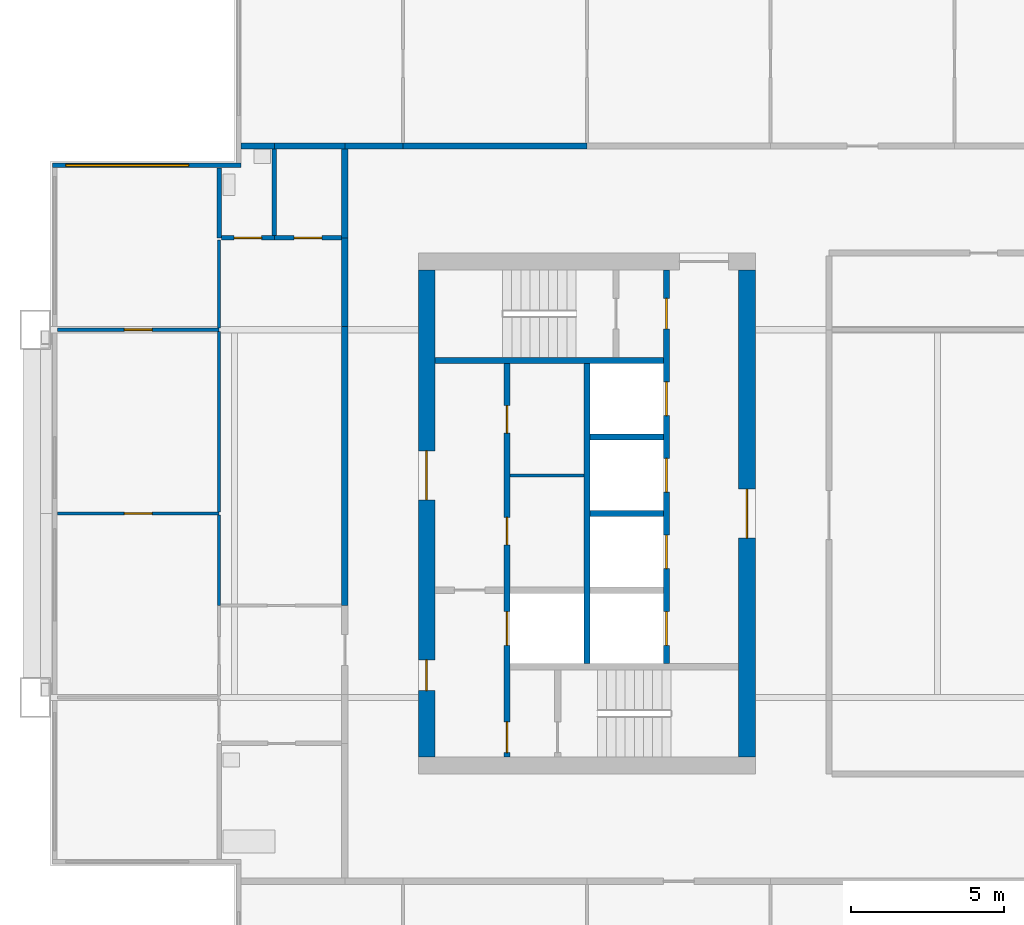
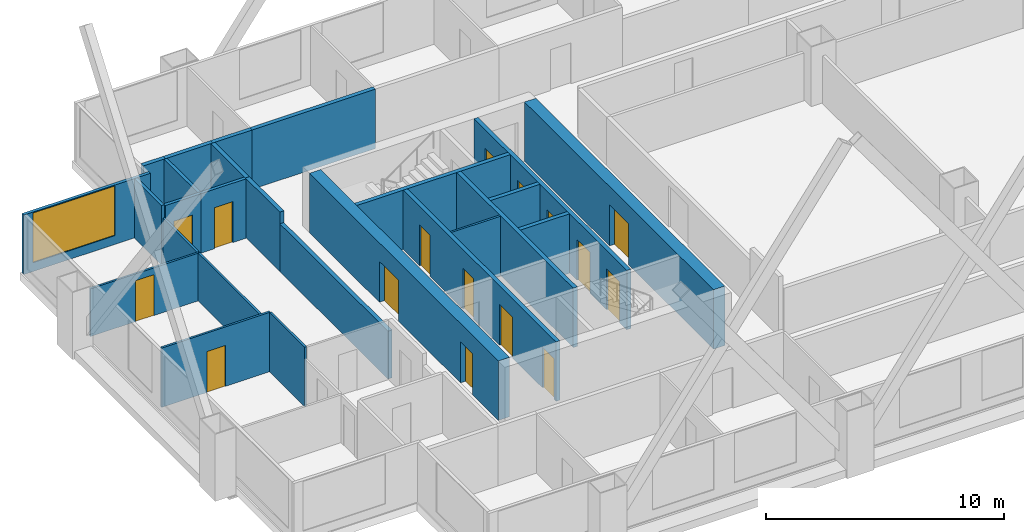
# One storey, part 3 of 8: 26 walls, 16 doors, 1 window, 17 openings.
"""IFC4 building model written with IfcOpenShell, lengths in metres."""

from ifc_helpers import new_model, si_unit, direction, frame, frame_2d, origin, place, context, subcontext, project, spatial, rectangle, extrude, material, layer, layer_set, type_object, element, fill, save


model = new_model("IFC4")

# Units and contexts
model_context = context("Model", 3, precision=1e-05, world=origin(), true_north=direction((0.0, 1.0)))
body_context = subcontext(model_context, "Body", "Model", "MODEL_VIEW")
ifc_project = project(units=[si_unit("LENGTHUNIT", "METRE"), si_unit("AREAUNIT", "SQUARE_METRE"), si_unit("VOLUMEUNIT", "CUBIC_METRE"), si_unit("PLANEANGLEUNIT", "RADIAN"), si_unit("MASSUNIT", "GRAM", prefix="KILO")], contexts=[model_context])

# Site, building, storey
site_placement = place(None, origin())
site = spatial("IfcSite", under=ifc_project, at=site_placement, CompositionType="ELEMENT")
building_placement = place(site_placement, origin())
building = spatial("IfcBuilding", under=site, at=building_placement, Name="Kitamizu Gate Tower and Museum", CompositionType="ELEMENT")
storey_placement = place(building_placement, frame((0.0, 0.0, 175.5)))
storey = spatial("IfcBuildingStorey", under=building, at=storey_placement, Name="L46", CompositionType="ELEMENT", Elevation=175.5)

# Wall, openings, doors
ifc_material_1 = material(Name="Concrete Fc42", Category="concrete")
ifc_layer_1 = layer(ifc_material_1, 0.550048828125)
ifc_layer_set_1 = layer_set([ifc_layer_1], Name="Concrete Fc42")
wall_type_1 = type_object("IfcWallType", Name="Core wall 550", PredefinedType="SHEAR", material=ifc_layer_set_1)
wall_1_placement = place(storey_placement, frame((12.77490234375, 22.050048828125, 0.0), z_axis=(0.0, 0.0, 1.0), x_axis=(0.0, 1.0, 0.0)))
wall_1 = element("IfcWall", 1, at=wall_1_placement, inside=storey, type_object=wall_type_1, Name="Core wall WOUT", PredefinedType="SHEAR", context=body_context, shape_type="SweptSolid", body=[
    extrude(rectangle(XDim=15.89990234375, YDim=0.550048828125, at=frame_2d((7.949951171875, 0.0))), origin(), (0.0, 0.0, 1.0), 3.050048828125),
])
opening_1_placement = place(wall_1_placement, frame((8.39990234375, 0.0, 0.0)))
opening_1 = element("IfcOpeningElement", 2, at=opening_1_placement, cuts=wall_1, Name="Opening L46-035", PredefinedType="OPENING", context=body_context, shape_type="SweptSolid", body=[
    extrude(rectangle(XDim=1.60009765625, YDim=2.10009765625, at=frame_2d((0.800048828125, 1.050048828125))), frame((0.0, 0.28515625, 0.0), z_axis=(0.0, -1.0, 0.0), x_axis=(1.0, 0.0, 0.0)), (0.0, 0.0, 1.0), 0.570068359375),
])
opening_2_placement = place(wall_1_placement, frame((2.175048828125, 0.0, 0.0)))
opening_2 = element("IfcOpeningElement", 3, at=opening_2_placement, cuts=wall_1, Name="Opening L46-036", PredefinedType="OPENING", context=body_context, shape_type="SweptSolid", body=[
    extrude(rectangle(XDim=1.0, YDim=2.10009765625, at=frame_2d((0.5, 1.050048828125))), frame((0.0, 0.28515625, 0.0), z_axis=(0.0, -1.0, 0.0), x_axis=(1.0, 0.0, 0.0)), (0.0, 0.0, 1.0), 0.570068359375),
])
ifc_material_2 = material(Name="Timber door set", Category="wood")
door_type_1 = type_object("IfcDoorType", Name="Entrance door 1600", OperationType="DOUBLE_DOOR_SINGLE_SWING", PredefinedType="DOOR", material=ifc_material_2)
door_1_placement = place(opening_1_placement, origin())
door_1 = element("IfcDoor", 4, at=door_1_placement, inside=storey, type_object=door_type_1, Name="Lobby door L46-035", OperationType="DOUBLE_DOOR_SINGLE_SWING", OverallHeight=2.10009765625, OverallWidth=1.60009765625, PredefinedType="DOOR", context=body_context, shape_type="SweptSolid", body=[
    extrude(rectangle(XDim=1.60009765625, YDim=2.10009765625, at=frame_2d((0.800048828125, 1.050048828125))), frame((0.0, 0.02490234375, 0.0), z_axis=(0.0, -1.0, 0.0), x_axis=(1.0, 0.0, 0.0)), (0.0, 0.0, 1.0), 0.050048828125),
])
fill(opening_1, door_1)
ifc_material_3 = material(Name="Hollow metal door set")
door_type_2 = type_object("IfcDoorType", Name="Fire door 1000", OperationType="NOTDEFINED", PredefinedType="DOOR", material=ifc_material_3)
door_2_placement = place(opening_2_placement, frame((1.0, 0.0, 0.0), x_axis=(-1.0, 0.0, 0.0)))
door_2 = element("IfcDoor", 5, at=door_2_placement, inside=storey, type_object=door_type_2, Name="Fire-fighting lobby door L46-036", OperationType="SINGLE_SWING_RIGHT", OverallHeight=2.10009765625, OverallWidth=1.0, PredefinedType="DOOR", context=body_context, shape_type="SweptSolid", body=[
    extrude(rectangle(XDim=1.0, YDim=2.10009765625, at=frame_2d((0.5, 1.050048828125))), frame((0.0, 0.02490234375, 0.0), z_axis=(0.0, -1.0, 0.0), x_axis=(1.0, 0.0, 0.0)), (0.0, 0.0, 1.0), 0.050048828125),
])
fill(opening_2, door_2)

# Wall, opening, door
wall_2_placement = place(storey_placement, frame((23.22509765625, 22.050048828125, 0.0), z_axis=(0.0, 0.0, 1.0), x_axis=(0.0, 1.0, 0.0)))
wall_2 = element("IfcWall", 6, at=wall_2_placement, inside=storey, type_object=wall_type_1, Name="Core wall WARC", PredefinedType="SHEAR", context=body_context, shape_type="SweptSolid", body=[
    extrude(rectangle(XDim=15.89990234375, YDim=0.550048828125, at=frame_2d((7.949951171875, 0.0))), origin(), (0.0, 0.0, 1.0), 3.050048828125),
])
opening_3_placement = place(wall_2_placement, frame((7.14990234375, 0.0, 0.0)))
opening_3 = element("IfcOpeningElement", 7, at=opening_3_placement, cuts=wall_2, Name="Opening L46-038", PredefinedType="OPENING", context=body_context, shape_type="SweptSolid", body=[
    extrude(rectangle(XDim=1.60009765625, YDim=2.10009765625, at=frame_2d((0.800048828125, 1.050048828125))), frame((0.0, 0.28515625, 0.0), z_axis=(0.0, -1.0, 0.0), x_axis=(1.0, 0.0, 0.0)), (0.0, 0.0, 1.0), 0.570068359375),
])
door_3_placement = place(opening_3_placement, origin())
door_3 = element("IfcDoor", 8, at=door_3_placement, inside=storey, type_object=door_type_1, Name="Lobby door L46-038", OperationType="DOUBLE_DOOR_SINGLE_SWING", OverallHeight=2.10009765625, OverallWidth=1.60009765625, PredefinedType="DOOR", context=body_context, shape_type="SweptSolid", body=[
    extrude(rectangle(XDim=1.60009765625, YDim=2.10009765625, at=frame_2d((0.800048828125, 1.050048828125))), frame((0.0, 0.02490234375, 0.0), z_axis=(0.0, -1.0, 0.0), x_axis=(1.0, 0.0, 0.0)), (0.0, 0.0, 1.0), 0.050048828125),
])
fill(opening_3, door_3)

# Wall
ifc_material_4 = material(Name="Gypsum board on galvanised stud")
ifc_layer_2 = layer(ifc_material_4, 0.10009765625)
ifc_layer_set_2 = layer_set([ifc_layer_2], Name="Gypsum board on galvanised stud")
wall_type_2 = type_object("IfcWallType", Name="Partition 100", PredefinedType="PARTITIONING", material=ifc_layer_set_2)
wall_3_placement = place(storey_placement, frame((15.5, 31.25, 0.0), z_axis=(0.0, 0.0, 1.0), x_axis=(1.0, 0.0, 0.0)))
element("IfcWall", 9, at=wall_3_placement, inside=storey, type_object=wall_type_2, Name="Partition WPF1", PredefinedType="PARTITIONING", context=body_context, shape_type="SweptSolid", body=[
    extrude(rectangle(XDim=2.39990234375, YDim=0.10009765625, at=frame_2d((1.199951171875, 0.0))), origin(), (0.0, 0.0, 1.0), 3.050048828125),
])

# Wall, opening, door
ifc_material_5 = material(Name="Gypsum board on galvanised stud")
ifc_layer_3 = layer(ifc_material_5, 0.10009765625)
ifc_layer_set_3 = layer_set([ifc_layer_3], Name="Gypsum board on galvanised stud")
wall_type_3 = type_object("IfcWallType", Name="Partition 100 NOT RATED", PredefinedType="PARTITIONING", material=ifc_layer_set_3)
wall_4_placement = place(storey_placement, frame((6.0, 30.0, 0.0), z_axis=(0.0, 0.0, 1.0), x_axis=(-1.0, 0.0, 0.0)))
wall_4 = element("IfcWall", 10, at=wall_4_placement, inside=storey, type_object=wall_type_3, Name="Partition L46-040", PredefinedType="PARTITIONING", context=body_context, shape_type="SweptSolid", body=[
    extrude(rectangle(XDim=5.280029296875, YDim=0.10009765625, at=frame_2d((2.64013671875, 0.0))), origin(), (0.0, 0.0, 1.0), 3.050048828125),
])
opening_4_placement = place(wall_4_placement, frame((2.18994140625, 0.0, 0.0)))
opening_4 = element("IfcOpeningElement", 11, at=opening_4_placement, cuts=wall_4, Name="Opening L46-019", PredefinedType="OPENING", context=body_context, shape_type="SweptSolid", body=[
    extrude(rectangle(XDim=0.89990234375, YDim=2.10009765625, at=frame_2d((0.449951171875, 1.050048828125))), frame((0.0, 0.06005859375, 0.0), z_axis=(0.0, -1.0, 0.0), x_axis=(1.0, 0.0, 0.0)), (0.0, 0.0, 1.0), 0.1201171875),
])
ifc_material_6 = material(Name="Timber door set", Category="wood")
door_type_3 = type_object("IfcDoorType", Name="Room door 900", OperationType="NOTDEFINED", PredefinedType="DOOR", material=ifc_material_6)
door_4_placement = place(opening_4_placement, origin())
door_4 = element("IfcDoor", 12, at=door_4_placement, inside=storey, type_object=door_type_3, Name="Door L46-019", OperationType="SINGLE_SWING_LEFT", OverallHeight=2.10009765625, OverallWidth=0.89990234375, PredefinedType="DOOR", context=body_context, shape_type="SweptSolid", body=[
    extrude(rectangle(XDim=0.89990234375, YDim=2.10009765625, at=frame_2d((0.449951171875, 1.050048828125))), frame((0.0, 0.02490234375, 0.0), z_axis=(0.0, -1.0, 0.0), x_axis=(1.0, 0.0, 0.0)), (0.0, 0.0, 1.0), 0.050048828125),
])
fill(opening_4, door_4)

# Wall
wall_5_placement = place(storey_placement, frame((6.0, 27.0, 0.0), z_axis=(0.0, 0.0, 1.0), x_axis=(0.0, 1.0, 0.0)))
element("IfcWall", 13, at=wall_5_placement, inside=storey, type_object=wall_type_3, Name="Partition L46-042", PredefinedType="PARTITIONING", context=body_context, shape_type="SweptSolid", body=[
    extrude(rectangle(XDim=2.949951171875, YDim=0.10009765625, at=frame_2d((1.47509765625, 0.0))), origin(), (0.0, 0.0, 1.0), 3.050048828125),
])

# Wall, opening, door
wall_6_placement = place(storey_placement, frame((6.0, 36.0, 0.0), z_axis=(0.0, 0.0, 1.0), x_axis=(-1.0, 0.0, 0.0)))
wall_6 = element("IfcWall", 14, at=wall_6_placement, inside=storey, type_object=wall_type_3, Name="Partition L46-043", PredefinedType="PARTITIONING", context=body_context, shape_type="SweptSolid", body=[
    extrude(rectangle(XDim=5.280029296875, YDim=0.10009765625, at=frame_2d((2.64013671875, 0.0))), origin(), (0.0, 0.0, 1.0), 2.449951171875),
])
opening_5_placement = place(wall_6_placement, frame((2.18994140625, 0.0, 0.0)))
opening_5 = element("IfcOpeningElement", 15, at=opening_5_placement, cuts=wall_6, Name="Opening L46-020", PredefinedType="OPENING", context=body_context, shape_type="SweptSolid", body=[
    extrude(rectangle(XDim=0.89990234375, YDim=2.10009765625, at=frame_2d((0.449951171875, 1.050048828125))), frame((0.0, 0.06005859375, 0.0), z_axis=(0.0, -1.0, 0.0), x_axis=(1.0, 0.0, 0.0)), (0.0, 0.0, 1.0), 0.1201171875),
])
door_5_placement = place(opening_5_placement, frame((0.89990234375, 0.0, 0.0), x_axis=(-1.0, 0.0, 0.0)))
door_5 = element("IfcDoor", 16, at=door_5_placement, inside=storey, type_object=door_type_3, Name="Door L46-020", OperationType="SINGLE_SWING_LEFT", OverallHeight=2.10009765625, OverallWidth=0.89990234375, PredefinedType="DOOR", context=body_context, shape_type="SweptSolid", body=[
    extrude(rectangle(XDim=0.89990234375, YDim=2.10009765625, at=frame_2d((0.449951171875, 1.050048828125))), frame((0.0, 0.02490234375, 0.0), z_axis=(0.0, -1.0, 0.0), x_axis=(1.0, 0.0, 0.0)), (0.0, 0.0, 1.0), 0.050048828125),
])
fill(opening_5, door_5)

# Walls
wall_7_placement = place(storey_placement, frame((6.0, 30.050048828125, 0.0), z_axis=(0.0, 0.0, 1.0), x_axis=(0.0, 1.0, 0.0)))
element("IfcWall", 17, at=wall_7_placement, inside=storey, type_object=wall_type_3, Name="Partition L46-044", PredefinedType="PARTITIONING", context=body_context, shape_type="SweptSolid", body=[
    extrude(rectangle(XDim=5.89990234375, YDim=0.10009765625, at=frame_2d((2.949951171875, 0.0))), origin(), (0.0, 0.0, 1.0), 2.449951171875),
])
wall_8_placement = place(storey_placement, frame((6.0, 36.050048828125, 0.0), z_axis=(0.0, 0.0, 1.0), x_axis=(0.0, 1.0, 0.0)))
element("IfcWall", 18, at=wall_8_placement, inside=storey, type_object=wall_type_3, Name="Partition L46-045", PredefinedType="PARTITIONING", context=body_context, shape_type="SweptSolid", body=[
    extrude(rectangle(XDim=2.875, YDim=0.10009765625, at=frame_2d((1.4375, 0.0))), origin(), (0.0, 0.0, 1.0), 2.449951171875),
])
ifc_material_7 = material(Name="Gypsum board on galvanised stud")
ifc_layer_4 = layer(ifc_material_7, 0.14990234375)
ifc_layer_set_4 = layer_set([ifc_layer_4], Name="Gypsum board on galvanised stud")
wall_type_4 = type_object("IfcWallType", Name="Partition 150", PredefinedType="PARTITIONING", material=ifc_layer_set_4)
wall_9_placement = place(storey_placement, frame((6.0, 39.0, 0.0), z_axis=(0.0, 0.0, 1.0), x_axis=(0.0, 1.0, 0.0)))
element("IfcWall", 19, at=wall_9_placement, inside=storey, type_object=wall_type_4, Name="Partition L46-046", PredefinedType="PARTITIONING", context=body_context, shape_type="SweptSolid", body=[
    extrude(rectangle(XDim=2.280029296875, YDim=0.14990234375, at=frame_2d((1.14013671875, 0.0))), origin(), (0.0, 0.0, 1.0), 3.050048828125),
])

# Wall, opening, door
wall_10_placement = place(storey_placement, frame((7.800048828125, 39.0, 0.0), z_axis=(0.0, 0.0, 1.0), x_axis=(-1.0, 0.0, 0.0)))
wall_10 = element("IfcWall", 20, at=wall_10_placement, inside=storey, type_object=wall_type_4, Name="Partition L46-052", PredefinedType="PARTITIONING", context=body_context, shape_type="SweptSolid", body=[
    extrude(rectangle(XDim=1.72509765625, YDim=0.14990234375, at=frame_2d((0.862548828125, 0.0))), origin(), (0.0, 0.0, 1.0), 3.050048828125),
])
opening_6_placement = place(wall_10_placement, frame((0.41259765625, 0.0, 0.0)))
opening_6 = element("IfcOpeningElement", 21, at=opening_6_placement, cuts=wall_10, Name="Opening L46-022", PredefinedType="OPENING", context=body_context, shape_type="SweptSolid", body=[
    extrude(rectangle(XDim=0.89990234375, YDim=2.10009765625, at=frame_2d((0.449951171875, 1.050048828125))), frame((0.0, 0.0849609375, 0.0), z_axis=(0.0, -1.0, 0.0), x_axis=(1.0, 0.0, 0.0)), (0.0, 0.0, 1.0), 0.169921875),
])
ifc_material_8 = material(Name="Timber door set", Category="wood")
door_type_4 = type_object("IfcDoorType", Name="Bathroom door 900", OperationType="NOTDEFINED", PredefinedType="DOOR", material=ifc_material_8)
door_6_placement = place(opening_6_placement, frame((0.89990234375, 0.0, 0.0), x_axis=(-1.0, 0.0, 0.0)))
door_6 = element("IfcDoor", 22, at=door_6_placement, inside=storey, type_object=door_type_4, Name="Bathroom door L46-022", OperationType="SINGLE_SWING_LEFT", OverallHeight=2.10009765625, OverallWidth=0.89990234375, PredefinedType="DOOR", context=body_context, shape_type="SweptSolid", body=[
    extrude(rectangle(XDim=0.89990234375, YDim=2.10009765625, at=frame_2d((0.449951171875, 1.050048828125))), frame((0.0, 0.02490234375, 0.0), z_axis=(0.0, -1.0, 0.0), x_axis=(1.0, 0.0, 0.0)), (0.0, 0.0, 1.0), 0.050048828125),
])
fill(opening_6, door_6)

wall_11_placement = place(storey_placement, frame((10.0, 39.0, 0.0), z_axis=(0.0, 0.0, 1.0), x_axis=(-1.0, 0.0, 0.0)))
wall_11 = element("IfcWall", 23, at=wall_11_placement, inside=storey, type_object=wall_type_4, Name="Partition L46-053", PredefinedType="PARTITIONING", context=body_context, shape_type="SweptSolid", body=[
    extrude(rectangle(XDim=2.199951171875, YDim=0.14990234375, at=frame_2d((1.10009765625, 0.0))), origin(), (0.0, 0.0, 1.0), 3.050048828125),
])
opening_7_placement = place(wall_11_placement, frame((0.64990234375, 0.0, 0.0)))
opening_7 = element("IfcOpeningElement", 24, at=opening_7_placement, cuts=wall_11, Name="Opening L46-023", PredefinedType="OPENING", context=body_context, shape_type="SweptSolid", body=[
    extrude(rectangle(XDim=0.89990234375, YDim=2.10009765625, at=frame_2d((0.449951171875, 1.050048828125))), frame((0.0, 0.0849609375, 0.0), z_axis=(0.0, -1.0, 0.0), x_axis=(1.0, 0.0, 0.0)), (0.0, 0.0, 1.0), 0.169921875),
])
door_7_placement = place(opening_7_placement, frame((0.89990234375, 0.0, 0.0), x_axis=(-1.0, 0.0, 0.0)))
door_7 = element("IfcDoor", 25, at=door_7_placement, inside=storey, type_object=door_type_4, Name="Bathroom door L46-023", OperationType="SINGLE_SWING_RIGHT", OverallHeight=2.10009765625, OverallWidth=0.89990234375, PredefinedType="DOOR", context=body_context, shape_type="SweptSolid", body=[
    extrude(rectangle(XDim=0.89990234375, YDim=2.10009765625, at=frame_2d((0.449951171875, 1.050048828125))), frame((0.0, 0.02490234375, 0.0), z_axis=(0.0, -1.0, 0.0), x_axis=(1.0, 0.0, 0.0)), (0.0, 0.0, 1.0), 0.050048828125),
])
fill(opening_7, door_7)

# Walls
wall_12_placement = place(storey_placement, frame((7.800048828125, 39.074951171875, 0.0), z_axis=(0.0, 0.0, 1.0), x_axis=(0.0, 1.0, 0.0)))
element("IfcWall", 26, at=wall_12_placement, inside=storey, type_object=wall_type_4, Name="Partition L46-056", PredefinedType="PARTITIONING", context=body_context, shape_type="SweptSolid", body=[
    extrude(rectangle(XDim=2.824951171875, YDim=0.14990234375, at=frame_2d((1.41259765625, 0.0))), origin(), (0.0, 0.0, 1.0), 3.050048828125),
])
ifc_material_9 = material(Name="Gypsum board on galvanised stud")
ifc_layer_5 = layer(ifc_material_9, 0.199951171875)
ifc_layer_set_5 = layer_set([ifc_layer_5], Name="Gypsum board on galvanised stud")
wall_type_5 = type_object("IfcWallType", Name="Partition 200", PredefinedType="PARTITIONING", material=ifc_layer_set_5)
wall_13_placement = place(storey_placement, frame((6.719970703125, 42.0, 0.0), z_axis=(0.0, 0.0, 1.0), x_axis=(1.0, 0.0, 0.0)))
element("IfcWall", 27, at=wall_13_placement, inside=storey, type_object=wall_type_5, Name="Partition L46-019", PredefinedType="PARTITIONING", context=body_context, shape_type="SweptSolid", body=[
    extrude(rectangle(XDim=1.080078125, YDim=0.199951171875, at=frame_2d((0.5400390625, 0.0))), origin(), (0.0, 0.0, 1.0), 3.050048828125),
])
wall_14_placement = place(storey_placement, frame((7.800048828125, 42.0, 0.0), z_axis=(0.0, 0.0, 1.0), x_axis=(1.0, 0.0, 0.0)))
element("IfcWall", 28, at=wall_14_placement, inside=storey, type_object=wall_type_5, Name="Partition L46-020", PredefinedType="PARTITIONING", context=body_context, shape_type="SweptSolid", body=[
    extrude(rectangle(XDim=2.300048828125, YDim=0.199951171875, at=frame_2d((1.14990234375, 0.0))), origin(), (0.0, 0.0, 1.0), 3.050048828125),
])
wall_15_placement = place(storey_placement, frame((10.10009765625, 42.0, 0.0), z_axis=(0.0, 0.0, 1.0), x_axis=(1.0, 0.0, 0.0)))
element("IfcWall", 29, at=wall_15_placement, inside=storey, type_object=wall_type_5, Name="Partition L46-021", PredefinedType="PARTITIONING", context=body_context, shape_type="SweptSolid", body=[
    extrude(rectangle(XDim=1.89990234375, YDim=0.199951171875, at=frame_2d((0.949951171875, 0.0))), origin(), (0.0, 0.0, 1.0), 3.050048828125),
])
wall_16_placement = place(storey_placement, frame((12.0, 42.0, 0.0), z_axis=(0.0, 0.0, 1.0), x_axis=(1.0, 0.0, 0.0)))
element("IfcWall", 30, at=wall_16_placement, inside=storey, type_object=wall_type_5, Name="Partition L46-023", PredefinedType="PARTITIONING", context=body_context, shape_type="SweptSolid", body=[
    extrude(rectangle(XDim=6.0, YDim=0.199951171875, at=frame_2d((3.0, 0.0))), origin(), (0.0, 0.0, 1.0), 3.050048828125),
])
wall_17_placement = place(storey_placement, frame((10.10009765625, 27.0, 0.0), z_axis=(0.0, 0.0, 1.0), x_axis=(0.0, 1.0, 0.0)))
element("IfcWall", 31, at=wall_17_placement, inside=storey, type_object=wall_type_5, Name="Partition L46-054", PredefinedType="PARTITIONING", context=body_context, shape_type="SweptSolid", body=[
    extrude(rectangle(XDim=9.10009765625, YDim=0.199951171875, at=frame_2d((4.550048828125, 0.0))), origin(), (0.0, 0.0, 1.0), 2.449951171875),
])
for number, where, z_axis, x_axis, name in (
    (32, (10.10009765625, 36.10009765625, 0.0), (0.0, 0.0, 1.0), (0.0, 1.0, 0.0), "Partition L46-055"),
    (33, (10.10009765625, 39.0, 0.0), (0.0, 0.0, 1.0), (0.0, 1.0, 0.0), "Partition L46-057"),
):
    element("IfcWall", number, at=place(storey_placement, frame(where, z_axis=z_axis, x_axis=x_axis)), inside=storey, type_object=wall_type_5, Name=name, PredefinedType="PARTITIONING", context=body_context, shape_type="SweptSolid", body=[
        extrude(rectangle(XDim=2.89990234375, YDim=0.199951171875, at=frame_2d((1.449951171875, 0.0))), origin(), (0.0, 0.0, 1.0), 3.050048828125),
    ])

# Wall, openings, doors
ifc_material_10 = material(Name="Concrete Fc42", Category="concrete")
ifc_layer_6 = layer(ifc_material_10, 0.199951171875)
ifc_layer_set_6 = layer_set([ifc_layer_6], Name="Concrete Fc42")
wall_type_6 = type_object("IfcWallType", Name="Shaft wall 200", PredefinedType="SOLIDWALL", material=ifc_layer_set_6)
wall_18_placement = place(storey_placement, frame((15.39990234375, 22.050048828125, 0.0), z_axis=(0.0, 0.0, 1.0), x_axis=(0.0, 1.0, 0.0)))
wall_18 = element("IfcWall", 34, at=wall_18_placement, inside=storey, type_object=wall_type_6, Name="Shaft wall WWEST", PredefinedType="SOLIDWALL", context=body_context, shape_type="SweptSolid", body=[
    extrude(rectangle(XDim=12.849853515625, YDim=0.199951171875, at=frame_2d((6.4248046875, 0.0))), origin(), (0.0, 0.0, 1.0), 3.050048828125),
])
opening_8_placement = place(wall_18_placement, frame((3.64990234375, 0.0, 0.0)))
opening_8 = element("IfcOpeningElement", 35, at=opening_8_placement, cuts=wall_18, Name="Opening LD", PredefinedType="OPENING", context=body_context, shape_type="SweptSolid", body=[
    extrude(rectangle(XDim=1.10009765625, YDim=2.10009765625, at=frame_2d((0.550048828125, 1.050048828125))), frame((0.0, 0.10986328125, 0.0), z_axis=(0.0, -1.0, 0.0), x_axis=(1.0, 0.0, 0.0)), (0.0, 0.0, 1.0), 0.219970703125),
])
opening_9_placement = place(wall_18_placement, frame((0.14990234375, 0.0, 0.0)))
opening_9 = element("IfcOpeningElement", 36, at=opening_9_placement, cuts=wall_18, Name="Opening L46-031", PredefinedType="OPENING", context=body_context, shape_type="SweptSolid", body=[
    extrude(rectangle(XDim=1.0, YDim=2.10009765625, at=frame_2d((0.5, 1.050048828125))), frame((0.0, 0.10986328125, 0.0), z_axis=(0.0, -1.0, 0.0), x_axis=(1.0, 0.0, 0.0)), (0.0, 0.0, 1.0), 0.219970703125),
])
opening_10_placement = place(wall_18_placement, frame((6.925048828125, 0.0, 0.0)))
opening_10 = element("IfcOpeningElement", 37, at=opening_10_placement, cuts=wall_18, Name="Opening L46-039", PredefinedType="OPENING", context=body_context, shape_type="SweptSolid", body=[
    extrude(rectangle(XDim=0.89990234375, YDim=2.10009765625, at=frame_2d((0.449951171875, 1.050048828125))), frame((0.0, 0.10986328125, 0.0), z_axis=(0.0, -1.0, 0.0), x_axis=(1.0, 0.0, 0.0)), (0.0, 0.0, 1.0), 0.219970703125),
])
opening_11_placement = place(wall_18_placement, frame((10.574951171875, 0.0, 0.0)))
opening_11 = element("IfcOpeningElement", 38, at=opening_11_placement, cuts=wall_18, Name="Opening L46-040", PredefinedType="OPENING", context=body_context, shape_type="SweptSolid", body=[
    extrude(rectangle(XDim=0.89990234375, YDim=2.10009765625, at=frame_2d((0.449951171875, 1.050048828125))), frame((0.0, 0.10986328125, 0.0), z_axis=(0.0, -1.0, 0.0), x_axis=(1.0, 0.0, 0.0)), (0.0, 0.0, 1.0), 0.219970703125),
])
door_8_placement = place(opening_9_placement, frame((1.0, 0.0, 0.0), x_axis=(-1.0, 0.0, 0.0)))
door_8 = element("IfcDoor", 39, at=door_8_placement, inside=storey, type_object=door_type_2, Name="Stair lobby door L46-031", OperationType="SINGLE_SWING_LEFT", OverallHeight=2.10009765625, OverallWidth=1.0, PredefinedType="DOOR", context=body_context, shape_type="SweptSolid", body=[
    extrude(rectangle(XDim=1.0, YDim=2.10009765625, at=frame_2d((0.5, 1.050048828125))), frame((0.0, 0.02490234375, 0.0), z_axis=(0.0, -1.0, 0.0), x_axis=(1.0, 0.0, 0.0)), (0.0, 0.0, 1.0), 0.050048828125),
])
fill(opening_9, door_8)
ifc_material_11 = material(Name="Hollow metal door set")
door_type_5 = type_object("IfcDoorType", Name="Landing door 1100", OperationType="SLIDING_TO_LEFT", PredefinedType="DOOR", material=ifc_material_11)
door_9_placement = place(opening_8_placement, origin())
door_9 = element("IfcDoor", 40, at=door_9_placement, inside=storey, type_object=door_type_5, Name="Landing door WFF1", OperationType="SLIDING_TO_LEFT", OverallHeight=2.10009765625, OverallWidth=1.10009765625, PredefinedType="DOOR", context=body_context, shape_type="SweptSolid", body=[
    extrude(rectangle(XDim=1.10009765625, YDim=2.10009765625, at=frame_2d((0.550048828125, 1.050048828125))), frame((0.0, 0.02490234375, 0.0), z_axis=(0.0, -1.0, 0.0), x_axis=(1.0, 0.0, 0.0)), (0.0, 0.0, 1.0), 0.050048828125),
])
fill(opening_8, door_9)
ifc_material_12 = material(Name="Timber door set", Category="wood")
door_type_6 = type_object("IfcDoorType", Name="Service door 900", OperationType="NOTDEFINED", PredefinedType="DOOR", material=ifc_material_12)
door_10_placement = place(opening_10_placement, frame((0.89990234375, 0.0, 0.0), x_axis=(-1.0, 0.0, 0.0)))
door_10 = element("IfcDoor", 41, at=door_10_placement, inside=storey, type_object=door_type_6, Name="Service door L46-039", OperationType="SINGLE_SWING_LEFT", OverallHeight=2.10009765625, OverallWidth=0.89990234375, PredefinedType="DOOR", context=body_context, shape_type="SweptSolid", body=[
    extrude(rectangle(XDim=0.89990234375, YDim=2.10009765625, at=frame_2d((0.449951171875, 1.050048828125))), frame((0.0, 0.02490234375, 0.0), z_axis=(0.0, -1.0, 0.0), x_axis=(1.0, 0.0, 0.0)), (0.0, 0.0, 1.0), 0.050048828125),
])
fill(opening_10, door_10)
door_11_placement = place(opening_11_placement, frame((0.89990234375, 0.0, 0.0), x_axis=(-1.0, 0.0, 0.0)))
door_11 = element("IfcDoor", 42, at=door_11_placement, inside=storey, type_object=door_type_6, Name="Service door L46-040", OperationType="SINGLE_SWING_RIGHT", OverallHeight=2.10009765625, OverallWidth=0.89990234375, PredefinedType="DOOR", context=body_context, shape_type="SweptSolid", body=[
    extrude(rectangle(XDim=0.89990234375, YDim=2.10009765625, at=frame_2d((0.449951171875, 1.050048828125))), frame((0.0, 0.02490234375, 0.0), z_axis=(0.0, -1.0, 0.0), x_axis=(1.0, 0.0, 0.0)), (0.0, 0.0, 1.0), 0.050048828125),
])
fill(opening_11, door_11)

wall_19_placement = place(storey_placement, frame((20.60009765625, 25.10009765625, 0.0), z_axis=(0.0, 0.0, 1.0), x_axis=(0.0, 1.0, 0.0)))
wall_19 = element("IfcWall", 43, at=wall_19_placement, inside=storey, type_object=wall_type_6, Name="Shaft wall WEAST", PredefinedType="SOLIDWALL", context=body_context, shape_type="SweptSolid", body=[
    extrude(rectangle(XDim=12.849853515625, YDim=0.199951171875, at=frame_2d((6.4248046875, 0.0))), origin(), (0.0, 0.0, 1.0), 3.050048828125),
])
opening_12_placement = place(wall_19_placement, frame((0.60009765625, 0.0, 0.0)))
opening_12 = element("IfcOpeningElement", 44, at=opening_12_placement, cuts=wall_19, Name="Opening LD", PredefinedType="OPENING", context=body_context, shape_type="SweptSolid", body=[
    extrude(rectangle(XDim=1.10009765625, YDim=2.10009765625, at=frame_2d((0.550048828125, 1.050048828125))), frame((0.0, 0.10986328125, 0.0), z_axis=(0.0, -1.0, 0.0), x_axis=(1.0, 0.0, 0.0)), (0.0, 0.0, 1.0), 0.219970703125),
])
opening_13_placement = place(wall_19_placement, frame((3.10009765625, 0.0, 0.0)))
opening_13 = element("IfcOpeningElement", 45, at=opening_13_placement, cuts=wall_19, Name="Opening LD", PredefinedType="OPENING", context=body_context, shape_type="SweptSolid", body=[
    extrude(rectangle(XDim=1.10009765625, YDim=2.10009765625, at=frame_2d((0.550048828125, 1.050048828125))), frame((0.0, 0.10986328125, 0.0), z_axis=(0.0, -1.0, 0.0), x_axis=(1.0, 0.0, 0.0)), (0.0, 0.0, 1.0), 0.219970703125),
])
opening_14_placement = place(wall_19_placement, frame((5.60009765625, 0.0, 0.0)))
opening_14 = element("IfcOpeningElement", 46, at=opening_14_placement, cuts=wall_19, Name="Opening LD", PredefinedType="OPENING", context=body_context, shape_type="SweptSolid", body=[
    extrude(rectangle(XDim=1.10009765625, YDim=2.10009765625, at=frame_2d((0.550048828125, 1.050048828125))), frame((0.0, 0.10986328125, 0.0), z_axis=(0.0, -1.0, 0.0), x_axis=(1.0, 0.0, 0.0)), (0.0, 0.0, 1.0), 0.219970703125),
])
opening_15_placement = place(wall_19_placement, frame((8.10009765625, 0.0, 0.0)))
opening_15 = element("IfcOpeningElement", 47, at=opening_15_placement, cuts=wall_19, Name="Opening LD", PredefinedType="OPENING", context=body_context, shape_type="SweptSolid", body=[
    extrude(rectangle(XDim=1.10009765625, YDim=2.10009765625, at=frame_2d((0.550048828125, 1.050048828125))), frame((0.0, 0.10986328125, 0.0), z_axis=(0.0, -1.0, 0.0), x_axis=(1.0, 0.0, 0.0)), (0.0, 0.0, 1.0), 0.219970703125),
])
opening_16_placement = place(wall_19_placement, frame((10.925048828125, 0.0, 0.0)))
opening_16 = element("IfcOpeningElement", 48, at=opening_16_placement, cuts=wall_19, Name="Opening L46-032", PredefinedType="OPENING", context=body_context, shape_type="SweptSolid", body=[
    extrude(rectangle(XDim=1.0, YDim=2.10009765625, at=frame_2d((0.5, 1.050048828125))), frame((0.0, 0.10986328125, 0.0), z_axis=(0.0, -1.0, 0.0), x_axis=(1.0, 0.0, 0.0)), (0.0, 0.0, 1.0), 0.219970703125),
])
door_12_placement = place(opening_16_placement, origin())
door_12 = element("IfcDoor", 49, at=door_12_placement, inside=storey, type_object=door_type_2, Name="Stair lobby door L46-032", OperationType="SINGLE_SWING_RIGHT", OverallHeight=2.10009765625, OverallWidth=1.0, PredefinedType="DOOR", context=body_context, shape_type="SweptSolid", body=[
    extrude(rectangle(XDim=1.0, YDim=2.10009765625, at=frame_2d((0.5, 1.050048828125))), frame((0.0, 0.02490234375, 0.0), z_axis=(0.0, -1.0, 0.0), x_axis=(1.0, 0.0, 0.0)), (0.0, 0.0, 1.0), 0.050048828125),
])
fill(opening_16, door_12)
door_13_placement = place(opening_12_placement, origin())
door_13 = element("IfcDoor", 50, at=door_13_placement, inside=storey, type_object=door_type_5, Name="Landing door WSV1", OperationType="SLIDING_TO_LEFT", OverallHeight=2.10009765625, OverallWidth=1.10009765625, PredefinedType="DOOR", context=body_context, shape_type="SweptSolid", body=[
    extrude(rectangle(XDim=1.10009765625, YDim=2.10009765625, at=frame_2d((0.550048828125, 1.050048828125))), frame((0.0, 0.02490234375, 0.0), z_axis=(0.0, -1.0, 0.0), x_axis=(1.0, 0.0, 0.0)), (0.0, 0.0, 1.0), 0.050048828125),
])
fill(opening_12, door_13)
door_14_placement = place(opening_13_placement, origin())
door_14 = element("IfcDoor", 51, at=door_14_placement, inside=storey, type_object=door_type_5, Name="Landing door WH1", OperationType="SLIDING_TO_LEFT", OverallHeight=2.10009765625, OverallWidth=1.10009765625, PredefinedType="DOOR", context=body_context, shape_type="SweptSolid", body=[
    extrude(rectangle(XDim=1.10009765625, YDim=2.10009765625, at=frame_2d((0.550048828125, 1.050048828125))), frame((0.0, 0.02490234375, 0.0), z_axis=(0.0, -1.0, 0.0), x_axis=(1.0, 0.0, 0.0)), (0.0, 0.0, 1.0), 0.050048828125),
])
fill(opening_13, door_14)
door_15_placement = place(opening_14_placement, origin())
door_15 = element("IfcDoor", 52, at=door_15_placement, inside=storey, type_object=door_type_5, Name="Landing door WH2", OperationType="SLIDING_TO_LEFT", OverallHeight=2.10009765625, OverallWidth=1.10009765625, PredefinedType="DOOR", context=body_context, shape_type="SweptSolid", body=[
    extrude(rectangle(XDim=1.10009765625, YDim=2.10009765625, at=frame_2d((0.550048828125, 1.050048828125))), frame((0.0, 0.02490234375, 0.0), z_axis=(0.0, -1.0, 0.0), x_axis=(1.0, 0.0, 0.0)), (0.0, 0.0, 1.0), 0.050048828125),
])
fill(opening_14, door_15)
door_16_placement = place(opening_15_placement, origin())
door_16 = element("IfcDoor", 53, at=door_16_placement, inside=storey, type_object=door_type_5, Name="Landing door WH3", OperationType="SLIDING_TO_LEFT", OverallHeight=2.10009765625, OverallWidth=1.10009765625, PredefinedType="DOOR", context=body_context, shape_type="SweptSolid", body=[
    extrude(rectangle(XDim=1.10009765625, YDim=2.10009765625, at=frame_2d((0.550048828125, 1.050048828125))), frame((0.0, 0.02490234375, 0.0), z_axis=(0.0, -1.0, 0.0), x_axis=(1.0, 0.0, 0.0)), (0.0, 0.0, 1.0), 0.050048828125),
])
fill(opening_15, door_16)

# Walls
wall_20_placement = place(storey_placement, frame((18.0, 25.10009765625, 0.0), z_axis=(0.0, 0.0, 1.0), x_axis=(0.0, 1.0, 0.0)))
element("IfcWall", 54, at=wall_20_placement, inside=storey, type_object=wall_type_6, Name="Shaft wall WMID", PredefinedType="SOLIDWALL", context=body_context, shape_type="SweptSolid", body=[
    extrude(rectangle(XDim=9.7998046875, YDim=0.199951171875, at=frame_2d((4.89990234375, 0.0))), origin(), (0.0, 0.0, 1.0), 3.050048828125),
])
wall_21_placement = place(storey_placement, frame((13.050048828125, 35.0, 0.0), z_axis=(0.0, 0.0, 1.0), x_axis=(1.0, 0.0, 0.0)))
element("IfcWall", 55, at=wall_21_placement, inside=storey, type_object=wall_type_6, Name="Shaft wall WNB", PredefinedType="SOLIDWALL", context=body_context, shape_type="SweptSolid", body=[
    extrude(rectangle(XDim=7.449951171875, YDim=0.199951171875, at=frame_2d((3.72509765625, 0.0))), origin(), (0.0, 0.0, 1.0), 3.050048828125),
])
for number, where, z_axis, x_axis, name in (
    (56, (18.10009765625, 30.0, 0.0), (0.0, 0.0, 1.0), (1.0, 0.0, 0.0), "Shaft wall WDVE1"),
    (57, (18.10009765625, 32.5, 0.0), (0.0, 0.0, 1.0), (1.0, 0.0, 0.0), "Shaft wall WDVE2"),
):
    element("IfcWall", number, at=place(storey_placement, frame(where, z_axis=z_axis, x_axis=x_axis)), inside=storey, type_object=wall_type_6, Name=name, PredefinedType="SOLIDWALL", context=body_context, shape_type="SweptSolid", body=[
        extrude(rectangle(XDim=2.39990234375, YDim=0.199951171875, at=frame_2d((1.199951171875, 0.0))), origin(), (0.0, 0.0, 1.0), 3.050048828125),
    ])

# Wall, opening, window
ifc_material_13 = material(Name="Bronze anodised aluminium frame with insulated spandrel and tinted glass", Category="aluminium")
ifc_layer_7 = layer(ifc_material_13, 0.14990234375)
ifc_layer_set_7 = layer_set([ifc_layer_7], Name="Bronze anodised aluminium frame with insulated spandrel and tinted glass")
wall_type_7 = type_object("IfcWallType", Name="WINDOW WALL 150 BRONZE FRAME EI 30", PredefinedType="ELEMENTEDWALL", material=ifc_layer_set_7)
wall_22_placement = place(storey_placement, frame((0.56005859375, 41.364990234375, 0.0), z_axis=(0.0, 0.0, 1.0), x_axis=(1.0, 0.0, 0.0)))
wall_22 = element("IfcWall", 58, at=wall_22_placement, inside=storey, type_object=wall_type_7, Name="Window wall north L46", PredefinedType="ELEMENTEDWALL", context=body_context, shape_type="SweptSolid", body=[
    extrude(rectangle(XDim=6.14990234375, YDim=0.14990234375, at=frame_2d((3.074951171875, 0.0))), origin(), (0.0, 0.0, 1.0), 3.050048828125),
])
opening_17_placement = place(wall_22_placement, frame((0.43994140625, 0.0, 0.449951171875)))
opening_17 = element("IfcOpeningElement", 59, at=opening_17_placement, cuts=wall_22, Name="Opening W16", PredefinedType="OPENING", context=body_context, shape_type="SweptSolid", body=[
    extrude(rectangle(XDim=4.0, YDim=2.550048828125, at=frame_2d((2.0, 1.27490234375))), frame((0.0, 0.0849609375, 0.0), z_axis=(0.0, -1.0, 0.0), x_axis=(1.0, 0.0, 0.0)), (0.0, 0.0, 1.0), 0.169921875),
])
ifc_material_14 = material(Name="Bronze anodised aluminium frame, tinted triple glazing", Category="aluminium")
window_type = type_object("IfcWindowType", Name="WINDOW 4000 x 2550 SILL 450", PartitioningType="SINGLE_PANEL", PredefinedType="WINDOW", material=ifc_material_14)
window_placement = place(opening_17_placement, origin())
window = element("IfcWindow", 60, at=window_placement, inside=storey, type_object=window_type, Name="Window W16 L46", OverallHeight=2.550048828125, OverallWidth=4.0, PartitioningType="SINGLE_PANEL", PredefinedType="WINDOW", context=body_context, shape_type="SweptSolid", body=[
    extrude(rectangle(XDim=4.0, YDim=2.550048828125, at=frame_2d((2.0, 1.27490234375))), frame((0.0, 0.030029296875, 0.0), z_axis=(0.0, -1.0, 0.0), x_axis=(1.0, 0.0, 0.0)), (0.0, 0.0, 1.0), 0.06005859375),
])
fill(opening_17, window)

save(model, "model.ifc")
